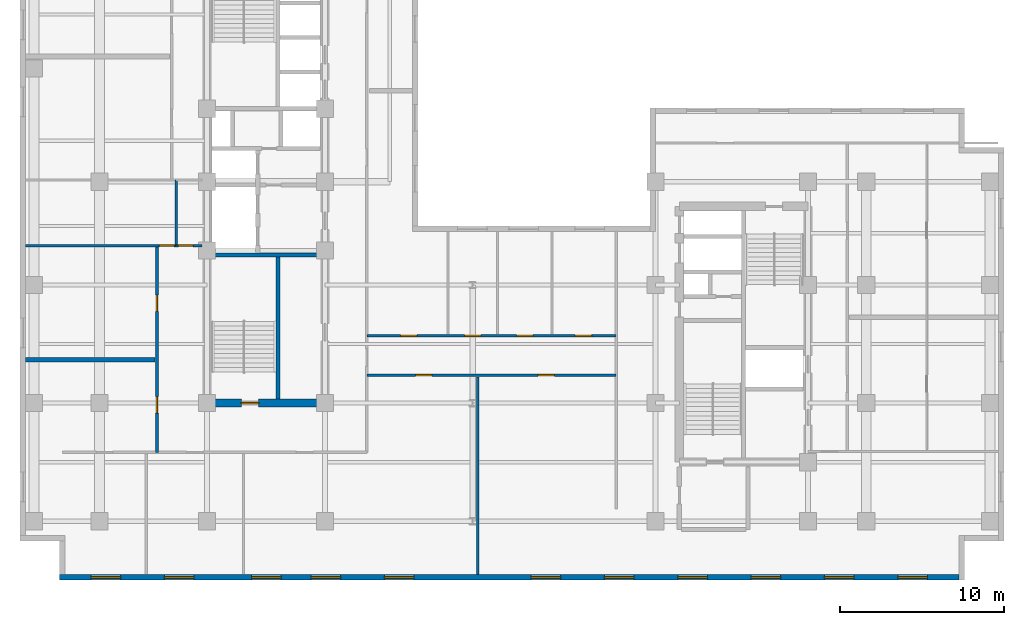
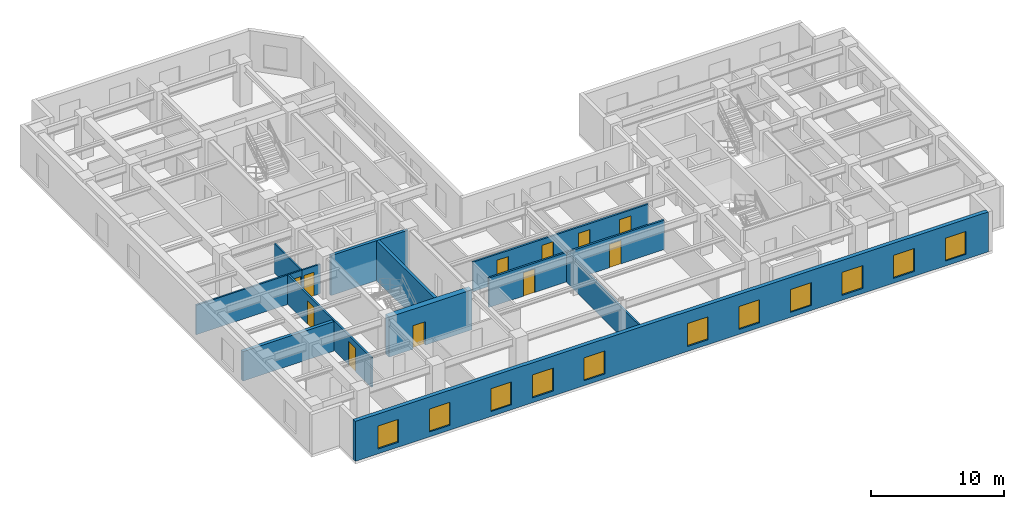
# One storey, part 3 of 10: 12 walls, 11 doors, 11 windows, 22 openings.
"""IFC4 building model written with IfcOpenShell, lengths in metres."""

from ifc_helpers import new_model, entity, si_unit, converted_unit, direction, frame, origin_with_axes, origin_2d_with_axis, place, context, subcontext, project, spatial, polyline, rectangle, outline, extrude, material, layer, layer_set, type_object, element, fill, save


model = new_model("IFC4")

# Units and contexts
model_context = context("Model", 3, precision=1e-05, world=origin_with_axes(), true_north=direction((0.0, 1.0)))
body_context = subcontext(model_context, "Body", "Model", "MODEL_VIEW")
ifc_project = project(units=[si_unit("LENGTHUNIT", "METRE"), si_unit("AREAUNIT", "SQUARE_METRE"), si_unit("VOLUMEUNIT", "CUBIC_METRE"), converted_unit("PLANEANGLEUNIT", "DEGREE", entity("IfcPlaneAngleMeasure", 0.017453292519943295), si_unit("PLANEANGLEUNIT", "RADIAN"), dimensions=[0, 0, 0, 0, 0, 0, 0]), si_unit("MASSUNIT", "GRAM", prefix="KILO"), si_unit("THERMODYNAMICTEMPERATUREUNIT", "KELVIN")], contexts=[model_context])

# Site, building, storey
site_placement = place(None, origin_with_axes())
site = spatial("IfcSite", under=ifc_project, at=site_placement, CompositionType="ELEMENT")
building_placement = place(site_placement, origin_with_axes())
building = spatial("IfcBuilding", under=site, at=building_placement, Name="Varnlund Millrace Tower", CompositionType="ELEMENT")
storey_placement = place(building_placement, frame((0.0, 0.0, 168.0), z_axis=(0.0, 0.0, 1.0), x_axis=(1.0, 0.0, 0.0)))
storey = spatial("IfcBuildingStorey", under=building, at=storey_placement, Name="L41", CompositionType="ELEMENT", Elevation=168.0)

# Wall, opening, door
ifc_material_1 = material(Name="Concrete C70/85", Category="concrete")
ifc_layer_1 = layer(ifc_material_1, 0.5, Name="Concrete C70/85")
ifc_layer_set_1 = layer_set([ifc_layer_1], Name="Concrete C70/85")
wall_type_1 = type_object("IfcWallType", Name="Type-CoreWall-Shear-500-C70", PredefinedType="SHEAR", material=ifc_layer_set_1)
wall_1_placement = place(storey_placement, frame((11.4, 10.8, 0.0), z_axis=(0.0, 0.0, 1.0), x_axis=(1.0, 0.0, 0.0)))
wall_1 = element("IfcWall", 1, at=wall_1_placement, inside=storey, type_object=wall_type_1, Name="Type-CoreWall-Shear-500-C70", PredefinedType="SHEAR", context=body_context, shape_type="SweptSolid", body=[
    extrude(outline(polyline([(0.0, -0.25), (7.2, -0.25), (7.2, 0.25), (0.0, 0.25), (0.0, -0.25)])), origin_with_axes(), (0.0, 0.0, 1.0), 3.66),
])
opening_1_placement = place(wall_1_placement, frame((2.625, 0.0, 0.0), z_axis=(0.0, 0.0, 1.0), x_axis=(1.0, 0.0, 0.0)))
opening_1 = element("IfcOpeningElement", 2, at=opening_1_placement, cuts=wall_1, Name="Opening L41:DR-STA1", PredefinedType="OPENING", context=body_context, shape_type="SweptSolid", body=[
    extrude(rectangle(XDim=1.05, YDim=0.52, at=origin_2d_with_axis()), origin_with_axes(), (0.0, 0.0, 1.0), 2.15),
])
ifc_material_2 = material(Name="Fire-rated hollow steel door", Category="steel")
door_type_1 = type_object("IfcDoorType", Name="Type-FireDoor-Stair-1050X2150", OperationType="NOTDEFINED", PredefinedType="DOOR", material=ifc_material_2)
door_1_placement = place(wall_1_placement, frame((2.625, 0.0, 0.0), z_axis=(0.0, 0.0, 1.0), x_axis=(1.0, 0.0, 0.0)))
door_1 = element("IfcDoor", 3, at=door_1_placement, inside=storey, type_object=door_type_1, Name="Type-FireDoor-Stair-1050X2150", OperationType="SINGLE_SWING_LEFT", OverallHeight=2.15, OverallWidth=1.05, PredefinedType="DOOR", context=body_context, shape_type="SweptSolid", body=[
    extrude(rectangle(XDim=1.05, YDim=0.09, at=origin_2d_with_axis()), origin_with_axes(), (0.0, 0.0, 1.0), 2.15),
])
fill(opening_1, door_1)

# Wall, openings, windows
ifc_material_3 = material(Name="Precast concrete C50/60", Category="concrete")
ifc_layer_2 = layer(ifc_material_3, 0.34, Name="Precast concrete C50/60")
ifc_layer_set_2 = layer_set([ifc_layer_2], Name="Precast concrete C50/60")
wall_type_2 = type_object("IfcWallType", Name="Type-ExtWall-Precast-Upper-340", PredefinedType="SOLIDWALL", material=ifc_layer_set_2)
wall_2_placement = place(storey_placement, frame((57.26, 0.17, 0.0), z_axis=(0.0, 0.0, 1.0), x_axis=(-1.0, 0.0, 0.0)))
wall_2 = element("IfcWall", 4, at=wall_2_placement, inside=storey, type_object=wall_type_2, Name="Type-ExtWall-Precast-Upper-340", PredefinedType="SOLIDWALL", context=body_context, shape_type="SweptSolid", body=[
    extrude(outline(polyline([(0.0, -0.17), (54.86, -0.17), (54.86, 0.17), (0.0, 0.17), (0.0, -0.17)])), origin_with_axes(), (0.0, 0.0, 1.0), 3.66),
])
opening_2_placement = place(wall_2_placement, frame((2.836, 0.0, 0.45), z_axis=(0.0, 0.0, 1.0), x_axis=(1.0, 0.0, 0.0)))
opening_2 = element("IfcOpeningElement", 5, at=opening_2_placement, cuts=wall_2, Name="Opening L41:WN-08", PredefinedType="OPENING", context=body_context, shape_type="SweptSolid", body=[
    extrude(rectangle(XDim=1.8, YDim=0.36, at=origin_2d_with_axis()), origin_with_axes(), (0.0, 0.0, 1.0), 2.1),
])
opening_3_placement = place(wall_2_placement, frame((7.307, 0.0, 0.45), z_axis=(0.0, 0.0, 1.0), x_axis=(1.0, 0.0, 0.0)))
opening_3 = element("IfcOpeningElement", 6, at=opening_3_placement, cuts=wall_2, Name="Opening L41:WN-09", PredefinedType="OPENING", context=body_context, shape_type="SweptSolid", body=[
    extrude(rectangle(XDim=1.8, YDim=0.36, at=origin_2d_with_axis()), origin_with_axes(), (0.0, 0.0, 1.0), 2.1),
])
opening_4_placement = place(wall_2_placement, frame((11.779, 0.0, 0.45), z_axis=(0.0, 0.0, 1.0), x_axis=(1.0, 0.0, 0.0)))
opening_4 = element("IfcOpeningElement", 7, at=opening_4_placement, cuts=wall_2, Name="Opening L41:WN-10", PredefinedType="OPENING", context=body_context, shape_type="SweptSolid", body=[
    extrude(rectangle(XDim=1.8, YDim=0.36, at=origin_2d_with_axis()), origin_with_axes(), (0.0, 0.0, 1.0), 2.1),
])
opening_5_placement = place(wall_2_placement, frame((16.251, 0.0, 0.45), z_axis=(0.0, 0.0, 1.0), x_axis=(1.0, 0.0, 0.0)))
opening_5 = element("IfcOpeningElement", 8, at=opening_5_placement, cuts=wall_2, Name="Opening L41:WN-11", PredefinedType="OPENING", context=body_context, shape_type="SweptSolid", body=[
    extrude(rectangle(XDim=1.8, YDim=0.36, at=origin_2d_with_axis()), origin_with_axes(), (0.0, 0.0, 1.0), 2.1),
])
opening_6_placement = place(wall_2_placement, frame((20.723, 0.0, 0.45), z_axis=(0.0, 0.0, 1.0), x_axis=(1.0, 0.0, 0.0)))
opening_6 = element("IfcOpeningElement", 9, at=opening_6_placement, cuts=wall_2, Name="Opening L41:WN-12", PredefinedType="OPENING", context=body_context, shape_type="SweptSolid", body=[
    extrude(rectangle(XDim=1.8, YDim=0.36, at=origin_2d_with_axis()), origin_with_axes(), (0.0, 0.0, 1.0), 2.1),
])
opening_7_placement = place(wall_2_placement, frame((25.194, 0.0, 0.45), z_axis=(0.0, 0.0, 1.0), x_axis=(1.0, 0.0, 0.0)))
opening_7 = element("IfcOpeningElement", 10, at=opening_7_placement, cuts=wall_2, Name="Opening L41:WN-13", PredefinedType="OPENING", context=body_context, shape_type="SweptSolid", body=[
    extrude(rectangle(XDim=1.8, YDim=0.36, at=origin_2d_with_axis()), origin_with_axes(), (0.0, 0.0, 1.0), 2.1),
])
opening_8_placement = place(wall_2_placement, frame((34.138, 0.0, 0.45), z_axis=(0.0, 0.0, 1.0), x_axis=(1.0, 0.0, 0.0)))
opening_8 = element("IfcOpeningElement", 11, at=opening_8_placement, cuts=wall_2, Name="Opening L41:WN-14", PredefinedType="OPENING", context=body_context, shape_type="SweptSolid", body=[
    extrude(rectangle(XDim=1.8, YDim=0.36, at=origin_2d_with_axis()), origin_with_axes(), (0.0, 0.0, 1.0), 2.1),
])
opening_9_placement = place(wall_2_placement, frame((38.609, 0.0, 0.45), z_axis=(0.0, 0.0, 1.0), x_axis=(1.0, 0.0, 0.0)))
opening_9 = element("IfcOpeningElement", 12, at=opening_9_placement, cuts=wall_2, Name="Opening L41:WN-15", PredefinedType="OPENING", context=body_context, shape_type="SweptSolid", body=[
    extrude(rectangle(XDim=1.8, YDim=0.36, at=origin_2d_with_axis()), origin_with_axes(), (0.0, 0.0, 1.0), 2.1),
])
opening_10_placement = place(wall_2_placement, frame((42.231, 0.0, 0.45), z_axis=(0.0, 0.0, 1.0), x_axis=(1.0, 0.0, 0.0)))
opening_10 = element("IfcOpeningElement", 13, at=opening_10_placement, cuts=wall_2, Name="Opening L41:WN-16", PredefinedType="OPENING", context=body_context, shape_type="SweptSolid", body=[
    extrude(rectangle(XDim=1.8, YDim=0.36, at=origin_2d_with_axis()), origin_with_axes(), (0.0, 0.0, 1.0), 2.1),
])
opening_11_placement = place(wall_2_placement, frame((47.553, 0.0, 0.45), z_axis=(0.0, 0.0, 1.0), x_axis=(1.0, 0.0, 0.0)))
opening_11 = element("IfcOpeningElement", 14, at=opening_11_placement, cuts=wall_2, Name="Opening L41:WN-17", PredefinedType="OPENING", context=body_context, shape_type="SweptSolid", body=[
    extrude(rectangle(XDim=1.8, YDim=0.36, at=origin_2d_with_axis()), origin_with_axes(), (0.0, 0.0, 1.0), 2.1),
])
opening_12_placement = place(wall_2_placement, frame((52.024, 0.0, 0.45), z_axis=(0.0, 0.0, 1.0), x_axis=(1.0, 0.0, 0.0)))
opening_12 = element("IfcOpeningElement", 15, at=opening_12_placement, cuts=wall_2, Name="Opening L41:WN-18", PredefinedType="OPENING", context=body_context, shape_type="SweptSolid", body=[
    extrude(rectangle(XDim=1.8, YDim=0.36, at=origin_2d_with_axis()), origin_with_axes(), (0.0, 0.0, 1.0), 2.1),
])
ifc_material_4 = material(Name="Argon low-e triple glazing in thermally broken bronze frame", Category="glass")
window_type = type_object("IfcWindowType", Name="Type-Window-Punched-1800X2100", PartitioningType="SINGLE_PANEL", PredefinedType="WINDOW", material=ifc_material_4)
window_1_placement = place(wall_2_placement, frame((2.836, 0.0, 0.45), z_axis=(0.0, 0.0, 1.0), x_axis=(1.0, 0.0, 0.0)))
window_1 = element("IfcWindow", 16, at=window_1_placement, inside=storey, type_object=window_type, Name="Type-Window-Punched-1800X2100", OverallHeight=2.1, OverallWidth=1.8, PredefinedType="WINDOW", context=body_context, shape_type="SweptSolid", body=[
    extrude(rectangle(XDim=1.8, YDim=0.09, at=origin_2d_with_axis()), origin_with_axes(), (0.0, 0.0, 1.0), 2.1),
])
fill(opening_2, window_1)
window_2_placement = place(wall_2_placement, frame((7.307, 0.0, 0.45), z_axis=(0.0, 0.0, 1.0), x_axis=(1.0, 0.0, 0.0)))
window_2 = element("IfcWindow", 17, at=window_2_placement, inside=storey, type_object=window_type, Name="Type-Window-Punched-1800X2100", OverallHeight=2.1, OverallWidth=1.8, PredefinedType="WINDOW", context=body_context, shape_type="SweptSolid", body=[
    extrude(rectangle(XDim=1.8, YDim=0.09, at=origin_2d_with_axis()), origin_with_axes(), (0.0, 0.0, 1.0), 2.1),
])
fill(opening_3, window_2)
window_3_placement = place(wall_2_placement, frame((11.779, 0.0, 0.45), z_axis=(0.0, 0.0, 1.0), x_axis=(1.0, 0.0, 0.0)))
window_3 = element("IfcWindow", 18, at=window_3_placement, inside=storey, type_object=window_type, Name="Type-Window-Punched-1800X2100", OverallHeight=2.1, OverallWidth=1.8, PredefinedType="WINDOW", context=body_context, shape_type="SweptSolid", body=[
    extrude(rectangle(XDim=1.8, YDim=0.09, at=origin_2d_with_axis()), origin_with_axes(), (0.0, 0.0, 1.0), 2.1),
])
fill(opening_4, window_3)
window_4_placement = place(wall_2_placement, frame((16.251, 0.0, 0.45), z_axis=(0.0, 0.0, 1.0), x_axis=(1.0, 0.0, 0.0)))
window_4 = element("IfcWindow", 19, at=window_4_placement, inside=storey, type_object=window_type, Name="Type-Window-Punched-1800X2100", OverallHeight=2.1, OverallWidth=1.8, PredefinedType="WINDOW", context=body_context, shape_type="SweptSolid", body=[
    extrude(rectangle(XDim=1.8, YDim=0.09, at=origin_2d_with_axis()), origin_with_axes(), (0.0, 0.0, 1.0), 2.1),
])
fill(opening_5, window_4)
window_5_placement = place(wall_2_placement, frame((20.723, 0.0, 0.45), z_axis=(0.0, 0.0, 1.0), x_axis=(1.0, 0.0, 0.0)))
window_5 = element("IfcWindow", 20, at=window_5_placement, inside=storey, type_object=window_type, Name="Type-Window-Punched-1800X2100", OverallHeight=2.1, OverallWidth=1.8, PredefinedType="WINDOW", context=body_context, shape_type="SweptSolid", body=[
    extrude(rectangle(XDim=1.8, YDim=0.09, at=origin_2d_with_axis()), origin_with_axes(), (0.0, 0.0, 1.0), 2.1),
])
fill(opening_6, window_5)
window_6_placement = place(wall_2_placement, frame((25.194, 0.0, 0.45), z_axis=(0.0, 0.0, 1.0), x_axis=(1.0, 0.0, 0.0)))
window_6 = element("IfcWindow", 21, at=window_6_placement, inside=storey, type_object=window_type, Name="Type-Window-Punched-1800X2100", OverallHeight=2.1, OverallWidth=1.8, PredefinedType="WINDOW", context=body_context, shape_type="SweptSolid", body=[
    extrude(rectangle(XDim=1.8, YDim=0.09, at=origin_2d_with_axis()), origin_with_axes(), (0.0, 0.0, 1.0), 2.1),
])
fill(opening_7, window_6)
window_7_placement = place(wall_2_placement, frame((34.138, 0.0, 0.45), z_axis=(0.0, 0.0, 1.0), x_axis=(1.0, 0.0, 0.0)))
window_7 = element("IfcWindow", 22, at=window_7_placement, inside=storey, type_object=window_type, Name="Type-Window-Punched-1800X2100", OverallHeight=2.1, OverallWidth=1.8, PredefinedType="WINDOW", context=body_context, shape_type="SweptSolid", body=[
    extrude(rectangle(XDim=1.8, YDim=0.09, at=origin_2d_with_axis()), origin_with_axes(), (0.0, 0.0, 1.0), 2.1),
])
fill(opening_8, window_7)
window_8_placement = place(wall_2_placement, frame((38.609, 0.0, 0.45), z_axis=(0.0, 0.0, 1.0), x_axis=(1.0, 0.0, 0.0)))
window_8 = element("IfcWindow", 23, at=window_8_placement, inside=storey, type_object=window_type, Name="Type-Window-Punched-1800X2100", OverallHeight=2.1, OverallWidth=1.8, PredefinedType="WINDOW", context=body_context, shape_type="SweptSolid", body=[
    extrude(rectangle(XDim=1.8, YDim=0.09, at=origin_2d_with_axis()), origin_with_axes(), (0.0, 0.0, 1.0), 2.1),
])
fill(opening_9, window_8)
window_9_placement = place(wall_2_placement, frame((42.231, 0.0, 0.45), z_axis=(0.0, 0.0, 1.0), x_axis=(1.0, 0.0, 0.0)))
window_9 = element("IfcWindow", 24, at=window_9_placement, inside=storey, type_object=window_type, Name="Type-Window-Punched-1800X2100", OverallHeight=2.1, OverallWidth=1.8, PredefinedType="WINDOW", context=body_context, shape_type="SweptSolid", body=[
    extrude(rectangle(XDim=1.8, YDim=0.09, at=origin_2d_with_axis()), origin_with_axes(), (0.0, 0.0, 1.0), 2.1),
])
fill(opening_10, window_9)
window_10_placement = place(wall_2_placement, frame((47.553, 0.0, 0.45), z_axis=(0.0, 0.0, 1.0), x_axis=(1.0, 0.0, 0.0)))
window_10 = element("IfcWindow", 25, at=window_10_placement, inside=storey, type_object=window_type, Name="Type-Window-Punched-1800X2100", OverallHeight=2.1, OverallWidth=1.8, PredefinedType="WINDOW", context=body_context, shape_type="SweptSolid", body=[
    extrude(rectangle(XDim=1.8, YDim=0.09, at=origin_2d_with_axis()), origin_with_axes(), (0.0, 0.0, 1.0), 2.1),
])
fill(opening_11, window_10)
window_11_placement = place(wall_2_placement, frame((52.024, 0.0, 0.45), z_axis=(0.0, 0.0, 1.0), x_axis=(1.0, 0.0, 0.0)))
window_11 = element("IfcWindow", 26, at=window_11_placement, inside=storey, type_object=window_type, Name="Type-Window-Punched-1800X2100", OverallHeight=2.1, OverallWidth=1.8, PredefinedType="WINDOW", context=body_context, shape_type="SweptSolid", body=[
    extrude(rectangle(XDim=1.8, YDim=0.09, at=origin_2d_with_axis()), origin_with_axes(), (0.0, 0.0, 1.0), 2.1),
])
fill(opening_12, window_11)

# Wall
ifc_material_5 = material(Name="Double-stud STC-60 conference acoustic partition", Category="gypsum")
ifc_layer_3 = layer(ifc_material_5, 0.28, Name="Double-stud STC-60 conference acoustic partition")
ifc_layer_set_3 = layer_set([ifc_layer_3], Name="Double-stud STC-60 conference acoustic partition")
wall_type_3 = type_object("IfcWallType", Name="Type-Partition-Acoustic-280", PredefinedType="PARTITIONING", material=ifc_layer_set_3)
wall_3_placement = place(storey_placement, frame((0.335, 13.454, 0.0), z_axis=(0.0, 0.0, 1.0), x_axis=(1.0, 0.0, 0.0)))
element("IfcWall", 27, at=wall_3_placement, inside=storey, type_object=wall_type_3, Name="Type-Partition-Acoustic-280", PredefinedType="PARTITIONING", context=body_context, shape_type="SweptSolid", body=[
    extrude(outline(polyline([(0.0, -0.14), (7.895, -0.14), (7.895, 0.14), (0.0, 0.14), (0.0, -0.14)])), origin_with_axes(), (0.0, 0.0, 1.0), 2.7),
])

# Wall, openings, doors
ifc_material_6 = material(Name="Fire-rated gypsum board on cold-formed steel framing", Category="steel")
ifc_layer_4 = layer(ifc_material_6, 0.16, Name="Fire-rated gypsum board on cold-formed steel framing")
ifc_layer_set_4 = layer_set([ifc_layer_4], Name="Fire-rated gypsum board on cold-formed steel framing")
wall_type_4 = type_object("IfcWallType", Name="Type-Partition-Corridor-160", PredefinedType="PARTITIONING", material=ifc_layer_set_4)
wall_4_placement = place(storey_placement, frame((8.35, 7.8, 0.0), z_axis=(0.0, 0.0, 1.0), x_axis=(0.0, 1.0, 0.0)))
wall_4 = element("IfcWall", 28, at=wall_4_placement, inside=storey, type_object=wall_type_4, Name="Type-Partition-Corridor-160", PredefinedType="PARTITIONING", context=body_context, shape_type="SweptSolid", body=[
    extrude(outline(polyline([(0.0, -0.08), (12.6, -0.08), (12.6, 0.08), (0.0, 0.08), (0.0, -0.08)])), origin_with_axes(), (0.0, 0.0, 1.0), 2.7),
])
opening_13_placement = place(wall_4_placement, frame((2.892, 0.0, 0.0), z_axis=(0.0, 0.0, 1.0), x_axis=(1.0, 0.0, 0.0)))
opening_13 = element("IfcOpeningElement", 29, at=opening_13_placement, cuts=wall_4, Name="Opening L41:DR-WS-01", PredefinedType="OPENING", context=body_context, shape_type="SweptSolid", body=[
    extrude(rectangle(XDim=1.0, YDim=0.18, at=origin_2d_with_axis()), origin_with_axes(), (0.0, 0.0, 1.0), 2.15),
])
opening_14_placement = place(wall_4_placement, frame((9.087, 0.0, 0.0), z_axis=(0.0, 0.0, 1.0), x_axis=(1.0, 0.0, 0.0)))
opening_14 = element("IfcOpeningElement", 30, at=opening_14_placement, cuts=wall_4, Name="Opening L41:DR-WS-02", PredefinedType="OPENING", context=body_context, shape_type="SweptSolid", body=[
    extrude(rectangle(XDim=1.0, YDim=0.18, at=origin_2d_with_axis()), origin_with_axes(), (0.0, 0.0, 1.0), 2.15),
])
ifc_material_7 = material(Name="Solid-core white oak and bronze frame door")
door_type_2 = type_object("IfcDoorType", Name="Type-IntDoor-Office-1000X2150", OperationType="NOTDEFINED", PredefinedType="DOOR", material=ifc_material_7)
door_2_placement = place(wall_4_placement, frame((2.892, 0.0, 0.0), z_axis=(0.0, 0.0, 1.0), x_axis=(1.0, 0.0, 0.0)))
door_2 = element("IfcDoor", 31, at=door_2_placement, inside=storey, type_object=door_type_2, Name="Type-IntDoor-Office-1000X2150", OperationType="SINGLE_SWING_LEFT", OverallHeight=2.15, OverallWidth=1.0, PredefinedType="DOOR", context=body_context, shape_type="SweptSolid", body=[
    extrude(rectangle(XDim=1.0, YDim=0.09, at=origin_2d_with_axis()), origin_with_axes(), (0.0, 0.0, 1.0), 2.15),
])
fill(opening_13, door_2)
door_3_placement = place(wall_4_placement, frame((9.087, 0.0, 0.0), z_axis=(0.0, 0.0, 1.0), x_axis=(1.0, 0.0, 0.0)))
door_3 = element("IfcDoor", 32, at=door_3_placement, inside=storey, type_object=door_type_2, Name="Type-IntDoor-Office-1000X2150", OperationType="SINGLE_SWING_RIGHT", OverallHeight=2.15, OverallWidth=1.0, PredefinedType="DOOR", context=body_context, shape_type="SweptSolid", body=[
    extrude(rectangle(XDim=1.0, YDim=0.09, at=origin_2d_with_axis()), origin_with_axes(), (0.0, 0.0, 1.0), 2.15),
])
fill(opening_14, door_3)

wall_5_placement = place(storey_placement, frame((21.15, 12.5, 0.0), z_axis=(0.0, 0.0, 1.0), x_axis=(1.0, 0.0, 0.0)))
wall_5 = element("IfcWall", 33, at=wall_5_placement, inside=storey, type_object=wall_type_4, Name="Type-Partition-Corridor-160", PredefinedType="PARTITIONING", context=body_context, shape_type="SweptSolid", body=[
    extrude(outline(polyline([(0.0, -0.08), (15.2, -0.08), (15.2, 0.08), (0.0, 0.08), (0.0, -0.08)])), origin_with_axes(), (0.0, 0.0, 1.0), 2.7),
])
opening_15_placement = place(wall_5_placement, frame((3.4695, 0.0, 0.0), z_axis=(0.0, 0.0, 1.0), x_axis=(1.0, 0.0, 0.0)))
opening_15 = element("IfcOpeningElement", 34, at=opening_15_placement, cuts=wall_5, Name="Opening L41:DR-KNS-01", PredefinedType="OPENING", context=body_context, shape_type="SweptSolid", body=[
    extrude(rectangle(XDim=1.0, YDim=0.18, at=origin_2d_with_axis()), origin_with_axes(), (0.0, 0.0, 1.0), 2.15),
])
opening_16_placement = place(wall_5_placement, frame((10.9395, 0.0, 0.0), z_axis=(0.0, 0.0, 1.0), x_axis=(1.0, 0.0, 0.0)))
opening_16 = element("IfcOpeningElement", 35, at=opening_16_placement, cuts=wall_5, Name="Opening L41:DR-KNS-02", PredefinedType="OPENING", context=body_context, shape_type="SweptSolid", body=[
    extrude(rectangle(XDim=1.0, YDim=0.18, at=origin_2d_with_axis()), origin_with_axes(), (0.0, 0.0, 1.0), 2.15),
])
door_4_placement = place(wall_5_placement, frame((3.4695, 0.0, 0.0), z_axis=(0.0, 0.0, 1.0), x_axis=(1.0, 0.0, 0.0)))
door_4 = element("IfcDoor", 36, at=door_4_placement, inside=storey, type_object=door_type_2, Name="Type-IntDoor-Office-1000X2150", OperationType="SINGLE_SWING_LEFT", OverallHeight=2.15, OverallWidth=1.0, PredefinedType="DOOR", context=body_context, shape_type="SweptSolid", body=[
    extrude(rectangle(XDim=1.0, YDim=0.09, at=origin_2d_with_axis()), origin_with_axes(), (0.0, 0.0, 1.0), 2.15),
])
fill(opening_15, door_4)
door_5_placement = place(wall_5_placement, frame((10.9395, 0.0, 0.0), z_axis=(0.0, 0.0, 1.0), x_axis=(1.0, 0.0, 0.0)))
door_5 = element("IfcDoor", 37, at=door_5_placement, inside=storey, type_object=door_type_2, Name="Type-IntDoor-Office-1000X2150", OperationType="SINGLE_SWING_RIGHT", OverallHeight=2.15, OverallWidth=1.0, PredefinedType="DOOR", context=body_context, shape_type="SweptSolid", body=[
    extrude(rectangle(XDim=1.0, YDim=0.09, at=origin_2d_with_axis()), origin_with_axes(), (0.0, 0.0, 1.0), 2.15),
])
fill(opening_16, door_5)

wall_6_placement = place(storey_placement, frame((21.15, 14.9, 0.0), z_axis=(0.0, 0.0, 1.0), x_axis=(1.0, 0.0, 0.0)))
wall_6 = element("IfcWall", 38, at=wall_6_placement, inside=storey, type_object=wall_type_4, Name="Type-Partition-Corridor-160", PredefinedType="PARTITIONING", context=body_context, shape_type="SweptSolid", body=[
    extrude(outline(polyline([(0.0, -0.08), (15.2, -0.08), (15.2, 0.08), (0.0, 0.08), (0.0, -0.08)])), origin_with_axes(), (0.0, 0.0, 1.0), 2.7),
])
opening_17_placement = place(wall_6_placement, frame((2.5635, 0.0, 0.0), z_axis=(0.0, 0.0, 1.0), x_axis=(1.0, 0.0, 0.0)))
opening_17 = element("IfcOpeningElement", 39, at=opening_17_placement, cuts=wall_6, Name="Opening L41:DR-KN-01", PredefinedType="OPENING", context=body_context, shape_type="SweptSolid", body=[
    extrude(rectangle(XDim=1.0, YDim=0.18, at=origin_2d_with_axis()), origin_with_axes(), (0.0, 0.0, 1.0), 2.15),
])
opening_18_placement = place(wall_6_placement, frame((6.4565, 0.0, 0.0), z_axis=(0.0, 0.0, 1.0), x_axis=(1.0, 0.0, 0.0)))
opening_18 = element("IfcOpeningElement", 40, at=opening_18_placement, cuts=wall_6, Name="Opening L41:DR-KN-02", PredefinedType="OPENING", context=body_context, shape_type="SweptSolid", body=[
    extrude(rectangle(XDim=1.0, YDim=0.18, at=origin_2d_with_axis()), origin_with_axes(), (0.0, 0.0, 1.0), 2.15),
])
opening_19_placement = place(wall_6_placement, frame((9.6275, 0.0, 0.0), z_axis=(0.0, 0.0, 1.0), x_axis=(1.0, 0.0, 0.0)))
opening_19 = element("IfcOpeningElement", 41, at=opening_19_placement, cuts=wall_6, Name="Opening L41:DR-KN-03", PredefinedType="OPENING", context=body_context, shape_type="SweptSolid", body=[
    extrude(rectangle(XDim=1.0, YDim=0.18, at=origin_2d_with_axis()), origin_with_axes(), (0.0, 0.0, 1.0), 2.15),
])
opening_20_placement = place(wall_6_placement, frame((13.2045, 0.0, 0.0), z_axis=(0.0, 0.0, 1.0), x_axis=(1.0, 0.0, 0.0)))
opening_20 = element("IfcOpeningElement", 42, at=opening_20_placement, cuts=wall_6, Name="Opening L41:DR-KN-04", PredefinedType="OPENING", context=body_context, shape_type="SweptSolid", body=[
    extrude(rectangle(XDim=1.0, YDim=0.18, at=origin_2d_with_axis()), origin_with_axes(), (0.0, 0.0, 1.0), 2.15),
])
door_6_placement = place(wall_6_placement, frame((2.5635, 0.0, 0.0), z_axis=(0.0, 0.0, 1.0), x_axis=(1.0, 0.0, 0.0)))
door_6 = element("IfcDoor", 43, at=door_6_placement, inside=storey, type_object=door_type_2, Name="Type-IntDoor-Office-1000X2150", OperationType="SINGLE_SWING_LEFT", OverallHeight=2.15, OverallWidth=1.0, PredefinedType="DOOR", context=body_context, shape_type="SweptSolid", body=[
    extrude(rectangle(XDim=1.0, YDim=0.09, at=origin_2d_with_axis()), origin_with_axes(), (0.0, 0.0, 1.0), 2.15),
])
fill(opening_17, door_6)
door_7_placement = place(wall_6_placement, frame((6.4565, 0.0, 0.0), z_axis=(0.0, 0.0, 1.0), x_axis=(1.0, 0.0, 0.0)))
door_7 = element("IfcDoor", 44, at=door_7_placement, inside=storey, type_object=door_type_2, Name="Type-IntDoor-Office-1000X2150", OperationType="SINGLE_SWING_RIGHT", OverallHeight=2.15, OverallWidth=1.0, PredefinedType="DOOR", context=body_context, shape_type="SweptSolid", body=[
    extrude(rectangle(XDim=1.0, YDim=0.09, at=origin_2d_with_axis()), origin_with_axes(), (0.0, 0.0, 1.0), 2.15),
])
fill(opening_18, door_7)
door_8_placement = place(wall_6_placement, frame((9.6275, 0.0, 0.0), z_axis=(0.0, 0.0, 1.0), x_axis=(1.0, 0.0, 0.0)))
door_8 = element("IfcDoor", 45, at=door_8_placement, inside=storey, type_object=door_type_2, Name="Type-IntDoor-Office-1000X2150", OperationType="SINGLE_SWING_LEFT", OverallHeight=2.15, OverallWidth=1.0, PredefinedType="DOOR", context=body_context, shape_type="SweptSolid", body=[
    extrude(rectangle(XDim=1.0, YDim=0.09, at=origin_2d_with_axis()), origin_with_axes(), (0.0, 0.0, 1.0), 2.15),
])
fill(opening_19, door_8)
door_9_placement = place(wall_6_placement, frame((13.2045, 0.0, 0.0), z_axis=(0.0, 0.0, 1.0), x_axis=(1.0, 0.0, 0.0)))
door_9 = element("IfcDoor", 46, at=door_9_placement, inside=storey, type_object=door_type_2, Name="Type-IntDoor-Office-1000X2150", OperationType="SINGLE_SWING_RIGHT", OverallHeight=2.15, OverallWidth=1.0, PredefinedType="DOOR", context=body_context, shape_type="SweptSolid", body=[
    extrude(rectangle(XDim=1.0, YDim=0.09, at=origin_2d_with_axis()), origin_with_axes(), (0.0, 0.0, 1.0), 2.15),
])
fill(opening_20, door_9)

# Walls
ifc_material_8 = material(Name="Acoustic STC-50 gypsum board partition", Category="gypsum")
ifc_layer_5 = layer(ifc_material_8, 0.15, Name="Acoustic STC-50 gypsum board partition")
ifc_layer_set_5 = layer_set([ifc_layer_5], Name="Acoustic STC-50 gypsum board partition")
wall_type_5 = type_object("IfcWallType", Name="Type-Partition-Demising-150", PredefinedType="PARTITIONING", material=ifc_layer_set_5)
wall_7_placement = place(storey_placement, frame((27.909, 0.335, 0.0), z_axis=(0.0, 0.0, 1.0), x_axis=(0.0, 1.0, 0.0)))
element("IfcWall", 47, at=wall_7_placement, inside=storey, type_object=wall_type_5, Name="Type-Partition-Demising-150", PredefinedType="PARTITIONING", context=body_context, shape_type="SweptSolid", body=[
    extrude(outline(polyline([(0.0, -0.075), (12.045, -0.075), (12.045, 0.075), (0.0, 0.075), (0.0, -0.075)])), origin_with_axes(), (0.0, 0.0, 1.0), 2.7),
])
ifc_material_9 = material(Name="Moisture-resistant gypsum restroom partition", Category="gypsum")
ifc_layer_6 = layer(ifc_material_9, 0.14, Name="Moisture-resistant gypsum restroom partition")
ifc_layer_set_6 = layer_set([ifc_layer_6], Name="Moisture-resistant gypsum restroom partition")
wall_type_6 = type_object("IfcWallType", Name="Type-Partition-Wet-140", PredefinedType="PARTITIONING", material=ifc_layer_set_6)
wall_8_placement = place(storey_placement, frame((9.52, 20.4, 0.0), z_axis=(0.0, 0.0, 1.0), x_axis=(0.0, 1.0, 0.0)))
element("IfcWall", 48, at=wall_8_placement, inside=storey, type_object=wall_type_6, Name="Type-Partition-Wet-140", PredefinedType="PARTITIONING", context=body_context, shape_type="SweptSolid", body=[
    extrude(outline(polyline([(0.0, -0.07), (4.0, -0.07), (4.0, 0.07), (0.0, 0.07), (0.0, -0.07)])), origin_with_axes(), (0.0, 0.0, 1.0), 2.7),
])

# Wall, opening, door
wall_9_placement = place(storey_placement, frame((9.52, 20.4, 0.0), z_axis=(0.0, 0.0, 1.0), x_axis=(1.0, 0.0, 0.0)))
wall_9 = element("IfcWall", 49, at=wall_9_placement, inside=storey, type_object=wall_type_6, Name="Type-Partition-Wet-140", PredefinedType="PARTITIONING", context=body_context, shape_type="SweptSolid", body=[
    extrude(outline(polyline([(0.0, -0.07), (1.58, -0.07), (1.58, 0.07), (0.0, 0.07), (0.0, -0.07)])), origin_with_axes(), (0.0, 0.0, 1.0), 2.7),
])
opening_21_placement = place(wall_9_placement, frame((0.59, 0.0, 0.0), z_axis=(0.0, 0.0, 1.0), x_axis=(1.0, 0.0, 0.0)))
opening_21 = element("IfcOpeningElement", 50, at=opening_21_placement, cuts=wall_9, Name="Opening L41:DR-CA-WCW", PredefinedType="OPENING", context=body_context, shape_type="SweptSolid", body=[
    extrude(rectangle(XDim=0.9, YDim=0.16, at=origin_2d_with_axis()), origin_with_axes(), (0.0, 0.0, 1.0), 2.15),
])
ifc_material_10 = material(Name="Painted steel riser and closet door", Category="steel")
door_type_3 = type_object("IfcDoorType", Name="Type-IntDoor-Closet-900X2150", OperationType="NOTDEFINED", PredefinedType="DOOR", material=ifc_material_10)
door_10_placement = place(wall_9_placement, frame((0.59, 0.0, 0.0), z_axis=(0.0, 0.0, 1.0), x_axis=(1.0, 0.0, 0.0)))
door_10 = element("IfcDoor", 51, at=door_10_placement, inside=storey, type_object=door_type_3, Name="Type-IntDoor-Closet-900X2150", OperationType="SINGLE_SWING_LEFT", OverallHeight=2.15, OverallWidth=0.9, PredefinedType="DOOR", context=body_context, shape_type="SweptSolid", body=[
    extrude(rectangle(XDim=0.9, YDim=0.084, at=origin_2d_with_axis()), origin_with_axes(), (0.0, 0.0, 1.0), 2.15),
])
fill(opening_21, door_10)

wall_10_placement = place(storey_placement, frame((0.335, 20.4, 0.0), z_axis=(0.0, 0.0, 1.0), x_axis=(1.0, 0.0, 0.0)))
wall_10 = element("IfcWall", 52, at=wall_10_placement, inside=storey, type_object=wall_type_6, Name="Type-Partition-Wet-140", PredefinedType="PARTITIONING", context=body_context, shape_type="SweptSolid", body=[
    extrude(outline(polyline([(0.0, -0.07), (9.185, -0.07), (9.185, 0.07), (0.0, 0.07), (0.0, -0.07)])), origin_with_axes(), (0.0, 0.0, 1.0), 2.7),
])
opening_22_placement = place(wall_10_placement, frame((8.615, 0.0, 0.0), z_axis=(0.0, 0.0, 1.0), x_axis=(1.0, 0.0, 0.0)))
opening_22 = element("IfcOpeningElement", 53, at=opening_22_placement, cuts=wall_10, Name="Opening L41:DR-W-MIDR", PredefinedType="OPENING", context=body_context, shape_type="SweptSolid", body=[
    extrude(rectangle(XDim=0.9, YDim=0.16, at=origin_2d_with_axis()), origin_with_axes(), (0.0, 0.0, 1.0), 2.15),
])
door_11_placement = place(wall_10_placement, frame((8.615, 0.0, 0.0), z_axis=(0.0, 0.0, 1.0), x_axis=(1.0, 0.0, 0.0)))
door_11 = element("IfcDoor", 54, at=door_11_placement, inside=storey, type_object=door_type_3, Name="Type-IntDoor-Closet-900X2150", OperationType="SINGLE_SWING_LEFT", OverallHeight=2.15, OverallWidth=0.9, PredefinedType="DOOR", context=body_context, shape_type="SweptSolid", body=[
    extrude(rectangle(XDim=0.9, YDim=0.084, at=origin_2d_with_axis()), origin_with_axes(), (0.0, 0.0, 1.0), 2.15),
])
fill(opening_22, door_11)

# Walls
ifc_material_11 = material(Name="Concrete C60/75", Category="concrete")
ifc_layer_7 = layer(ifc_material_11, 0.25, Name="Concrete C60/75")
ifc_layer_set_7 = layer_set([ifc_layer_7], Name="Concrete C60/75")
wall_type_7 = type_object("IfcWallType", Name="Type-StairWall-Shear-250", PredefinedType="SHEAR", material=ifc_layer_set_7)
wall_11_placement = place(storey_placement, frame((15.725, 11.05, 0.0), z_axis=(0.0, 0.0, 1.0), x_axis=(0.0, 1.0, 0.0)))
element("IfcWall", 55, at=wall_11_placement, inside=storey, type_object=wall_type_7, Name="Type-StairWall-Shear-250", PredefinedType="SHEAR", context=body_context, shape_type="SweptSolid", body=[
    extrude(outline(polyline([(0.0, -0.125), (8.65, -0.125), (8.65, 0.125), (0.0, 0.125), (0.0, -0.125)])), origin_with_axes(), (0.0, 0.0, 1.0), 3.66),
])
wall_12_placement = place(storey_placement, frame((11.65, 19.825, 0.0), z_axis=(0.0, 0.0, 1.0), x_axis=(1.0, 0.0, 0.0)))
element("IfcWall", 56, at=wall_12_placement, inside=storey, type_object=wall_type_7, Name="Type-StairWall-Shear-250", PredefinedType="SHEAR", context=body_context, shape_type="SweptSolid", body=[
    extrude(outline(polyline([(0.0, -0.125), (6.7, -0.125), (6.7, 0.125), (0.0, 0.125), (0.0, -0.125)])), origin_with_axes(), (0.0, 0.0, 1.0), 3.66),
])

save(model, "model.ifc")
